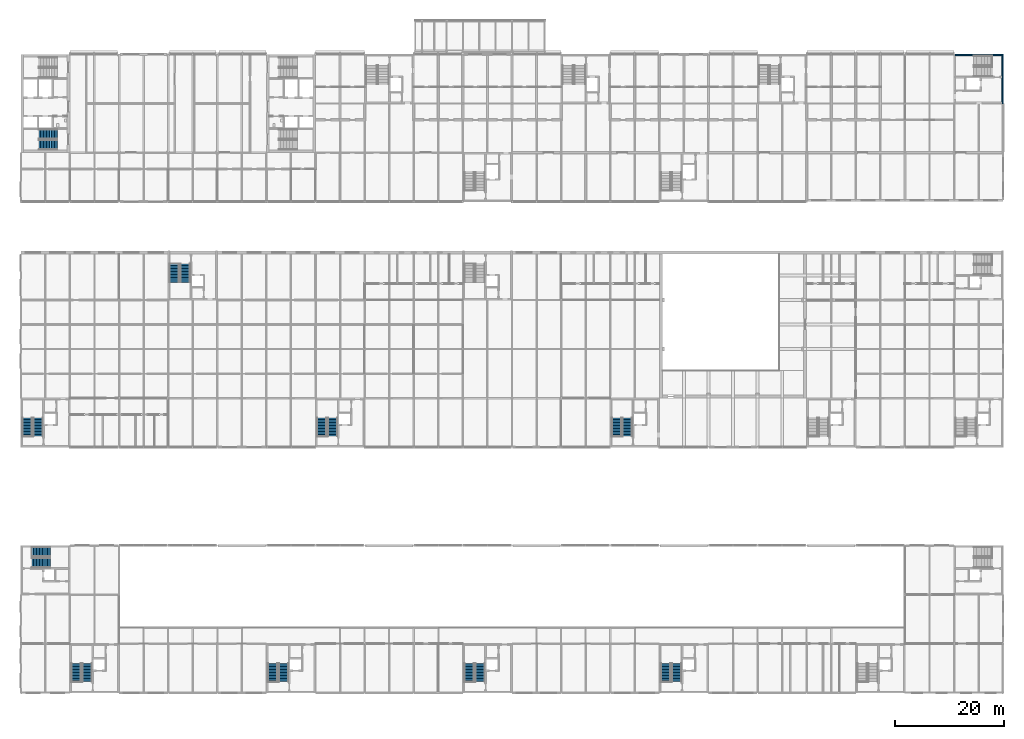
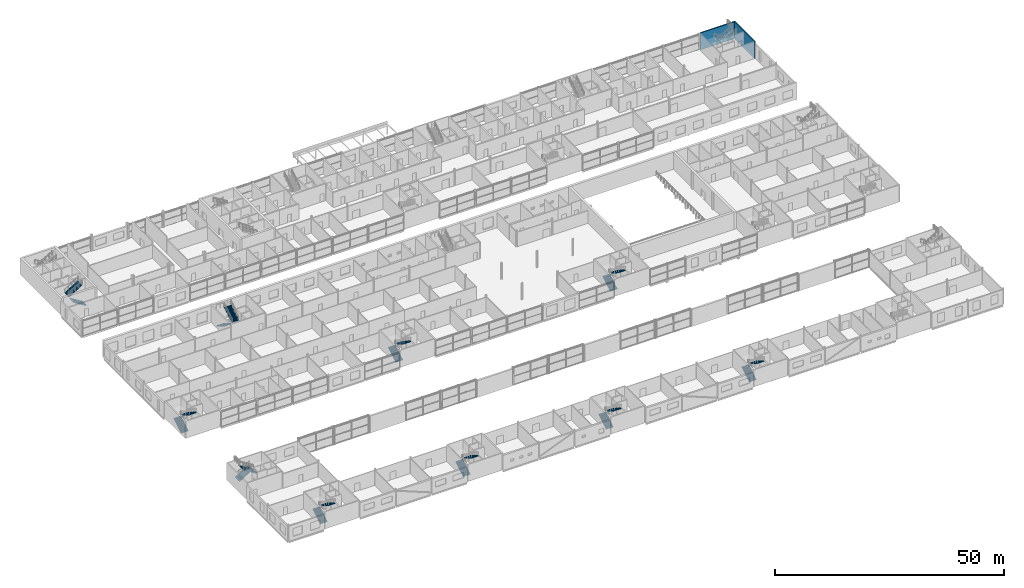
# One storey, part 87 of 97: 20 stair flights, 2 walls, 10 elements without a shape of their own.
"""IFC4 building model written with IfcOpenShell, lengths in metres."""

from ifc_helpers import new_model, si_unit, direction, frame, frame_2d, origin, place, context, subcontext, project, spatial, polyline, rectangle, outline, extrude, material, layer, layer_set, type_object, element, aggregate, save


model = new_model("IFC4")

# Units and contexts
model_context = context("Model", 3, precision=1e-05, world=origin(), true_north=direction((0.0, 1.0)))
body_context = subcontext(model_context, "Body", "Model", "MODEL_VIEW")
ifc_project = project(units=[si_unit("LENGTHUNIT", "METRE"), si_unit("AREAUNIT", "SQUARE_METRE"), si_unit("VOLUMEUNIT", "CUBIC_METRE"), si_unit("PLANEANGLEUNIT", "RADIAN"), si_unit("MASSUNIT", "GRAM", prefix="KILO")], contexts=[model_context])

# Site, building, storey
site_placement = place(None, origin())
site = spatial("IfcSite", under=ifc_project, at=site_placement, CompositionType="ELEMENT")
building_placement = place(site_placement, origin())
building = spatial("IfcBuilding", under=site, at=building_placement, Name="Corbel Yard City Hall", CompositionType="ELEMENT")
storey_placement = place(building_placement, frame((0.0, 0.0, 6.0)))
storey = spatial("IfcBuildingStorey", under=building, at=storey_placement, Name="L01", CompositionType="ELEMENT", Elevation=6.0)

# Walls
ifc_material_1 = material(Name="Concrete N50 (50 MPa)", Category="concrete")
ifc_layer = layer(ifc_material_1, 0.25)
ifc_layer_set = layer_set([ifc_layer], Name="Concrete N50 (50 MPa)")
wall_type = type_object("IfcWallType", Name="Core cell wall 250", PredefinedType="SHEAR", material=ifc_layer_set)
wall_1_placement = place(storey_placement, frame((179.875, 108.0, 0.0), z_axis=(0.0, 0.0, 1.0), x_axis=(0.0, 1.0, 0.0)))
element("IfcWall", 1, at=wall_1_placement, inside=storey, type_object=wall_type, Name="Core PC-N4 east wall", PredefinedType="SHEAR", context=body_context, shape_type="SweptSolid", body=[
    extrude(rectangle(XDim=9.0, YDim=0.25, at=frame_2d((4.5, 0.0))), origin(), (0.0, 0.0, 1.0), 4.5),
])
wall_2_placement = place(storey_placement, frame((171.25, 116.875, 0.0), z_axis=(0.0, 0.0, 1.0), x_axis=(1.0, 0.0, 0.0)))
element("IfcWall", 2, at=wall_2_placement, inside=storey, type_object=wall_type, Name="Core PC-N4 north wall", PredefinedType="SHEAR", context=body_context, shape_type="SweptSolid", body=[
    extrude(rectangle(XDim=8.5, YDim=0.25, at=frame_2d((4.25, 0.0))), origin(), (0.0, 0.0, 1.0), 4.5),
])

# Stair, stair flights
ifc_material_2 = material(Name="Concrete N40 (40 MPa)", Category="concrete")
stair_type = type_object("IfcStairType", Name="ST1", PredefinedType="HALF_TURN_STAIR", material=ifc_material_2)
stair_1_placement = place(storey_placement, origin())
stair_1 = element("IfcStair", 3, at=stair_1_placement, inside=storey, type_object=stair_type, Name="Exit stair L01", PredefinedType="HALF_TURN_STAIR")
stair_flight_type = type_object("IfcStairFlightType", Name="FL1", PredefinedType="STRAIGHT", material=ifc_material_2)
stair_flight_1_placement = place(storey_placement, frame((10.14990234375, 2.050048828125, 0.0), z_axis=(0.0, 0.0, 1.0), x_axis=(0.0, 1.0, 0.0)))
stair_flight_1 = element("IfcStairFlight", 4, at=stair_flight_1_placement, type_object=stair_flight_type, Name="PS1 flight 1", NumberOfRisers=13, NumberOfTreads=12, PredefinedType="STRAIGHT", RiserHeight=0.173077, TreadLength=0.28, context=body_context, shape_type="SweptSolid", body=[
    extrude(outline(polyline([(0.0, 0.0), (0.0, 0.173095703125), (0.280029296875, 0.173095703125), (0.280029296875, 0.34619140625), (0.56005859375, 0.34619140625), (0.56005859375, 0.519287109375), (0.840087890625, 0.519287109375), (0.840087890625, 0.6923828125), (1.1201171875, 0.6923828125), (1.1201171875, 0.865478515625), (1.39990234375, 0.865478515625), (1.39990234375, 1.03857421875), (1.679931640625, 1.03857421875), (1.679931640625, 1.21142578125), (1.9599609375, 1.21142578125), (1.9599609375, 1.384521484375), (2.239990234375, 1.384521484375), (2.239990234375, 1.5576171875), (2.52001953125, 1.5576171875), (2.52001953125, 1.730712890625), (2.800048828125, 1.730712890625), (2.800048828125, 1.90380859375), (3.080078125, 1.90380859375), (3.080078125, 2.076904296875), (3.360107421875, 2.076904296875), (3.360107421875, 2.25), (3.360107421875, 1.900634765625), (0.28515625, 0.0), (0.0, 0.0)])), frame((0.0, 0.89990234375, 0.0), z_axis=(0.0, -1.0, 0.0), x_axis=(1.0, 0.0, 0.0)), (0.0, 0.0, 1.0), 1.800048828125),
])
stair_flight_2_placement = place(storey_placement, frame((12.14990234375, 5.409912109375, 2.25), z_axis=(0.0, 0.0, 1.0), x_axis=(0.0, -1.0, 0.0)))
stair_flight_2 = element("IfcStairFlight", 5, at=stair_flight_2_placement, type_object=stair_flight_type, Name="PS1 flight 2", NumberOfRisers=13, NumberOfTreads=12, PredefinedType="STRAIGHT", RiserHeight=0.173077, TreadLength=0.28, context=body_context, shape_type="SweptSolid", body=[
    extrude(outline(polyline([(0.0, 0.0), (0.0, 0.173095703125), (0.280029296875, 0.173095703125), (0.280029296875, 0.34619140625), (0.56005859375, 0.34619140625), (0.56005859375, 0.519287109375), (0.840087890625, 0.519287109375), (0.840087890625, 0.6923828125), (1.1201171875, 0.6923828125), (1.1201171875, 0.865478515625), (1.39990234375, 0.865478515625), (1.39990234375, 1.03857421875), (1.679931640625, 1.03857421875), (1.679931640625, 1.21142578125), (1.9599609375, 1.21142578125), (1.9599609375, 1.384521484375), (2.239990234375, 1.384521484375), (2.239990234375, 1.5576171875), (2.52001953125, 1.5576171875), (2.52001953125, 1.730712890625), (2.800048828125, 1.730712890625), (2.800048828125, 1.90380859375), (3.080078125, 1.90380859375), (3.080078125, 2.076904296875), (3.360107421875, 2.076904296875), (3.360107421875, 2.25), (3.360107421875, 1.900634765625), (0.28515625, 0.0), (0.0, 0.0)])), frame((0.0, 0.89990234375, 0.0), z_axis=(0.0, -1.0, 0.0), x_axis=(1.0, 0.0, 0.0)), (0.0, 0.0, 1.0), 1.800048828125),
])
aggregate(stair_1, [stair_flight_1, stair_flight_2])

stair_2_placement = place(storey_placement, origin())
stair_2 = element("IfcStair", 6, at=stair_2_placement, inside=storey, type_object=stair_type, Name="Exit stair L01", PredefinedType="HALF_TURN_STAIR")
stair_flight_3_placement = place(storey_placement, frame((46.14990234375, 2.050048828125, 0.0), z_axis=(0.0, 0.0, 1.0), x_axis=(0.0, 1.0, 0.0)))
stair_flight_3 = element("IfcStairFlight", 7, at=stair_flight_3_placement, type_object=stair_flight_type, Name="PS2 flight 1", NumberOfRisers=13, NumberOfTreads=12, PredefinedType="STRAIGHT", RiserHeight=0.173077, TreadLength=0.28, context=body_context, shape_type="SweptSolid", body=[
    extrude(outline(polyline([(0.0, 0.0), (0.0, 0.173095703125), (0.280029296875, 0.173095703125), (0.280029296875, 0.34619140625), (0.56005859375, 0.34619140625), (0.56005859375, 0.519287109375), (0.840087890625, 0.519287109375), (0.840087890625, 0.6923828125), (1.1201171875, 0.6923828125), (1.1201171875, 0.865478515625), (1.39990234375, 0.865478515625), (1.39990234375, 1.03857421875), (1.679931640625, 1.03857421875), (1.679931640625, 1.21142578125), (1.9599609375, 1.21142578125), (1.9599609375, 1.384521484375), (2.239990234375, 1.384521484375), (2.239990234375, 1.5576171875), (2.52001953125, 1.5576171875), (2.52001953125, 1.730712890625), (2.800048828125, 1.730712890625), (2.800048828125, 1.90380859375), (3.080078125, 1.90380859375), (3.080078125, 2.076904296875), (3.360107421875, 2.076904296875), (3.360107421875, 2.25), (3.360107421875, 1.900634765625), (0.28515625, 0.0), (0.0, 0.0)])), frame((0.0, 0.89990234375, 0.0), z_axis=(0.0, -1.0, 0.0), x_axis=(1.0, 0.0, 0.0)), (0.0, 0.0, 1.0), 1.800048828125),
])
stair_flight_4_placement = place(storey_placement, frame((48.14990234375, 5.409912109375, 2.25), z_axis=(0.0, 0.0, 1.0), x_axis=(0.0, -1.0, 0.0)))
stair_flight_4 = element("IfcStairFlight", 8, at=stair_flight_4_placement, type_object=stair_flight_type, Name="PS2 flight 2", NumberOfRisers=13, NumberOfTreads=12, PredefinedType="STRAIGHT", RiserHeight=0.173077, TreadLength=0.28, context=body_context, shape_type="SweptSolid", body=[
    extrude(outline(polyline([(0.0, 0.0), (0.0, 0.173095703125), (0.280029296875, 0.173095703125), (0.280029296875, 0.34619140625), (0.56005859375, 0.34619140625), (0.56005859375, 0.519287109375), (0.840087890625, 0.519287109375), (0.840087890625, 0.6923828125), (1.1201171875, 0.6923828125), (1.1201171875, 0.865478515625), (1.39990234375, 0.865478515625), (1.39990234375, 1.03857421875), (1.679931640625, 1.03857421875), (1.679931640625, 1.21142578125), (1.9599609375, 1.21142578125), (1.9599609375, 1.384521484375), (2.239990234375, 1.384521484375), (2.239990234375, 1.5576171875), (2.52001953125, 1.5576171875), (2.52001953125, 1.730712890625), (2.800048828125, 1.730712890625), (2.800048828125, 1.90380859375), (3.080078125, 1.90380859375), (3.080078125, 2.076904296875), (3.360107421875, 2.076904296875), (3.360107421875, 2.25), (3.360107421875, 1.900634765625), (0.28515625, 0.0), (0.0, 0.0)])), frame((0.0, 0.89990234375, 0.0), z_axis=(0.0, -1.0, 0.0), x_axis=(1.0, 0.0, 0.0)), (0.0, 0.0, 1.0), 1.800048828125),
])
aggregate(stair_2, [stair_flight_3, stair_flight_4])

stair_3_placement = place(storey_placement, origin())
stair_3 = element("IfcStair", 9, at=stair_3_placement, inside=storey, type_object=stair_type, Name="Exit stair L01", PredefinedType="HALF_TURN_STAIR")
stair_flight_5_placement = place(storey_placement, frame((82.14990234375, 2.050048828125, 0.0), z_axis=(0.0, 0.0, 1.0), x_axis=(0.0, 1.0, 0.0)))
stair_flight_5 = element("IfcStairFlight", 10, at=stair_flight_5_placement, type_object=stair_flight_type, Name="PS3 flight 1", NumberOfRisers=13, NumberOfTreads=12, PredefinedType="STRAIGHT", RiserHeight=0.173077, TreadLength=0.28, context=body_context, shape_type="SweptSolid", body=[
    extrude(outline(polyline([(0.0, 0.0), (0.0, 0.173095703125), (0.280029296875, 0.173095703125), (0.280029296875, 0.34619140625), (0.56005859375, 0.34619140625), (0.56005859375, 0.519287109375), (0.840087890625, 0.519287109375), (0.840087890625, 0.6923828125), (1.1201171875, 0.6923828125), (1.1201171875, 0.865478515625), (1.39990234375, 0.865478515625), (1.39990234375, 1.03857421875), (1.679931640625, 1.03857421875), (1.679931640625, 1.21142578125), (1.9599609375, 1.21142578125), (1.9599609375, 1.384521484375), (2.239990234375, 1.384521484375), (2.239990234375, 1.5576171875), (2.52001953125, 1.5576171875), (2.52001953125, 1.730712890625), (2.800048828125, 1.730712890625), (2.800048828125, 1.90380859375), (3.080078125, 1.90380859375), (3.080078125, 2.076904296875), (3.360107421875, 2.076904296875), (3.360107421875, 2.25), (3.360107421875, 1.900634765625), (0.28515625, 0.0), (0.0, 0.0)])), frame((0.0, 0.89990234375, 0.0), z_axis=(0.0, -1.0, 0.0), x_axis=(1.0, 0.0, 0.0)), (0.0, 0.0, 1.0), 1.800048828125),
])
stair_flight_6_placement = place(storey_placement, frame((84.14990234375, 5.409912109375, 2.25), z_axis=(0.0, 0.0, 1.0), x_axis=(0.0, -1.0, 0.0)))
stair_flight_6 = element("IfcStairFlight", 11, at=stair_flight_6_placement, type_object=stair_flight_type, Name="PS3 flight 2", NumberOfRisers=13, NumberOfTreads=12, PredefinedType="STRAIGHT", RiserHeight=0.173077, TreadLength=0.28, context=body_context, shape_type="SweptSolid", body=[
    extrude(outline(polyline([(0.0, 0.0), (0.0, 0.173095703125), (0.280029296875, 0.173095703125), (0.280029296875, 0.34619140625), (0.56005859375, 0.34619140625), (0.56005859375, 0.519287109375), (0.840087890625, 0.519287109375), (0.840087890625, 0.6923828125), (1.1201171875, 0.6923828125), (1.1201171875, 0.865478515625), (1.39990234375, 0.865478515625), (1.39990234375, 1.03857421875), (1.679931640625, 1.03857421875), (1.679931640625, 1.21142578125), (1.9599609375, 1.21142578125), (1.9599609375, 1.384521484375), (2.239990234375, 1.384521484375), (2.239990234375, 1.5576171875), (2.52001953125, 1.5576171875), (2.52001953125, 1.730712890625), (2.800048828125, 1.730712890625), (2.800048828125, 1.90380859375), (3.080078125, 1.90380859375), (3.080078125, 2.076904296875), (3.360107421875, 2.076904296875), (3.360107421875, 2.25), (3.360107421875, 1.900634765625), (0.28515625, 0.0), (0.0, 0.0)])), frame((0.0, 0.89990234375, 0.0), z_axis=(0.0, -1.0, 0.0), x_axis=(1.0, 0.0, 0.0)), (0.0, 0.0, 1.0), 1.800048828125),
])
aggregate(stair_3, [stair_flight_5, stair_flight_6])

stair_4_placement = place(storey_placement, origin())
stair_4 = element("IfcStair", 12, at=stair_4_placement, inside=storey, type_object=stair_type, Name="Exit stair L01", PredefinedType="HALF_TURN_STAIR")
stair_flight_7_placement = place(storey_placement, frame((118.14990234375, 2.050048828125, 0.0), z_axis=(0.0, 0.0, 1.0), x_axis=(0.0, 1.0, 0.0)))
stair_flight_7 = element("IfcStairFlight", 13, at=stair_flight_7_placement, type_object=stair_flight_type, Name="PS4 flight 1", NumberOfRisers=13, NumberOfTreads=12, PredefinedType="STRAIGHT", RiserHeight=0.173077, TreadLength=0.28, context=body_context, shape_type="SweptSolid", body=[
    extrude(outline(polyline([(0.0, 0.0), (0.0, 0.173095703125), (0.280029296875, 0.173095703125), (0.280029296875, 0.34619140625), (0.56005859375, 0.34619140625), (0.56005859375, 0.519287109375), (0.840087890625, 0.519287109375), (0.840087890625, 0.6923828125), (1.1201171875, 0.6923828125), (1.1201171875, 0.865478515625), (1.39990234375, 0.865478515625), (1.39990234375, 1.03857421875), (1.679931640625, 1.03857421875), (1.679931640625, 1.21142578125), (1.9599609375, 1.21142578125), (1.9599609375, 1.384521484375), (2.239990234375, 1.384521484375), (2.239990234375, 1.5576171875), (2.52001953125, 1.5576171875), (2.52001953125, 1.730712890625), (2.800048828125, 1.730712890625), (2.800048828125, 1.90380859375), (3.080078125, 1.90380859375), (3.080078125, 2.076904296875), (3.360107421875, 2.076904296875), (3.360107421875, 2.25), (3.360107421875, 1.900634765625), (0.28515625, 0.0), (0.0, 0.0)])), frame((0.0, 0.89990234375, 0.0), z_axis=(0.0, -1.0, 0.0), x_axis=(1.0, 0.0, 0.0)), (0.0, 0.0, 1.0), 1.800048828125),
])
stair_flight_8_placement = place(storey_placement, frame((120.14990234375, 5.409912109375, 2.25), z_axis=(0.0, 0.0, 1.0), x_axis=(0.0, -1.0, 0.0)))
stair_flight_8 = element("IfcStairFlight", 14, at=stair_flight_8_placement, type_object=stair_flight_type, Name="PS4 flight 2", NumberOfRisers=13, NumberOfTreads=12, PredefinedType="STRAIGHT", RiserHeight=0.173077, TreadLength=0.28, context=body_context, shape_type="SweptSolid", body=[
    extrude(outline(polyline([(0.0, 0.0), (0.0, 0.173095703125), (0.280029296875, 0.173095703125), (0.280029296875, 0.34619140625), (0.56005859375, 0.34619140625), (0.56005859375, 0.519287109375), (0.840087890625, 0.519287109375), (0.840087890625, 0.6923828125), (1.1201171875, 0.6923828125), (1.1201171875, 0.865478515625), (1.39990234375, 0.865478515625), (1.39990234375, 1.03857421875), (1.679931640625, 1.03857421875), (1.679931640625, 1.21142578125), (1.9599609375, 1.21142578125), (1.9599609375, 1.384521484375), (2.239990234375, 1.384521484375), (2.239990234375, 1.5576171875), (2.52001953125, 1.5576171875), (2.52001953125, 1.730712890625), (2.800048828125, 1.730712890625), (2.800048828125, 1.90380859375), (3.080078125, 1.90380859375), (3.080078125, 2.076904296875), (3.360107421875, 2.076904296875), (3.360107421875, 2.25), (3.360107421875, 1.900634765625), (0.28515625, 0.0), (0.0, 0.0)])), frame((0.0, 0.89990234375, 0.0), z_axis=(0.0, -1.0, 0.0), x_axis=(1.0, 0.0, 0.0)), (0.0, 0.0, 1.0), 1.800048828125),
])
aggregate(stair_4, [stair_flight_7, stair_flight_8])

stair_5_placement = place(storey_placement, origin())
stair_5 = element("IfcStair", 15, at=stair_5_placement, inside=storey, type_object=stair_type, Name="Exit stair L01", PredefinedType="HALF_TURN_STAIR")
stair_flight_9_placement = place(storey_placement, frame((2.050048828125, 25.85009765625, 0.0), z_axis=(0.0, 0.0, 1.0), x_axis=(1.0, 0.0, 0.0)))
stair_flight_9 = element("IfcStairFlight", 16, at=stair_flight_9_placement, type_object=stair_flight_type, Name="PS6 flight 1", NumberOfRisers=13, NumberOfTreads=12, PredefinedType="STRAIGHT", RiserHeight=0.173077, TreadLength=0.28, context=body_context, shape_type="SweptSolid", body=[
    extrude(outline(polyline([(0.0, 0.0), (0.0, 0.173095703125), (0.280029296875, 0.173095703125), (0.280029296875, 0.34619140625), (0.56005859375, 0.34619140625), (0.56005859375, 0.519287109375), (0.840087890625, 0.519287109375), (0.840087890625, 0.6923828125), (1.1201171875, 0.6923828125), (1.1201171875, 0.865478515625), (1.39990234375, 0.865478515625), (1.39990234375, 1.03857421875), (1.679931640625, 1.03857421875), (1.679931640625, 1.21142578125), (1.9599609375, 1.21142578125), (1.9599609375, 1.384521484375), (2.239990234375, 1.384521484375), (2.239990234375, 1.5576171875), (2.52001953125, 1.5576171875), (2.52001953125, 1.730712890625), (2.800048828125, 1.730712890625), (2.800048828125, 1.90380859375), (3.080078125, 1.90380859375), (3.080078125, 2.076904296875), (3.360107421875, 2.076904296875), (3.360107421875, 2.25), (3.360107421875, 1.900634765625), (0.28515625, 0.0), (0.0, 0.0)])), frame((0.0, 0.89990234375, 0.0), z_axis=(0.0, -1.0, 0.0), x_axis=(1.0, 0.0, 0.0)), (0.0, 0.0, 1.0), 1.800048828125),
])
stair_flight_10_placement = place(storey_placement, frame((5.409912109375, 23.85009765625, 2.25), z_axis=(0.0, 0.0, 1.0), x_axis=(-1.0, 0.0, 0.0)))
stair_flight_10 = element("IfcStairFlight", 17, at=stair_flight_10_placement, type_object=stair_flight_type, Name="PS6 flight 2", NumberOfRisers=13, NumberOfTreads=12, PredefinedType="STRAIGHT", RiserHeight=0.173077, TreadLength=0.28, context=body_context, shape_type="SweptSolid", body=[
    extrude(outline(polyline([(0.0, 0.0), (0.0, 0.173095703125), (0.280029296875, 0.173095703125), (0.280029296875, 0.34619140625), (0.56005859375, 0.34619140625), (0.56005859375, 0.519287109375), (0.840087890625, 0.519287109375), (0.840087890625, 0.6923828125), (1.1201171875, 0.6923828125), (1.1201171875, 0.865478515625), (1.39990234375, 0.865478515625), (1.39990234375, 1.03857421875), (1.679931640625, 1.03857421875), (1.679931640625, 1.21142578125), (1.9599609375, 1.21142578125), (1.9599609375, 1.384521484375), (2.239990234375, 1.384521484375), (2.239990234375, 1.5576171875), (2.52001953125, 1.5576171875), (2.52001953125, 1.730712890625), (2.800048828125, 1.730712890625), (2.800048828125, 1.90380859375), (3.080078125, 1.90380859375), (3.080078125, 2.076904296875), (3.360107421875, 2.076904296875), (3.360107421875, 2.25), (3.360107421875, 1.900634765625), (0.28515625, 0.0), (0.0, 0.0)])), frame((0.0, 0.89990234375, 0.0), z_axis=(0.0, -1.0, 0.0), x_axis=(1.0, 0.0, 0.0)), (0.0, 0.0, 1.0), 1.800048828125),
])
aggregate(stair_5, [stair_flight_9, stair_flight_10])

stair_6_placement = place(storey_placement, origin())
stair_6 = element("IfcStair", 18, at=stair_6_placement, inside=storey, type_object=stair_type, Name="Exit stair L01", PredefinedType="HALF_TURN_STAIR")
stair_flight_11_placement = place(storey_placement, frame((1.14990234375, 47.050048828125, 0.0), z_axis=(0.0, 0.0, 1.0), x_axis=(0.0, 1.0, 0.0)))
stair_flight_11 = element("IfcStairFlight", 19, at=stair_flight_11_placement, type_object=stair_flight_type, Name="PS8 flight 1", NumberOfRisers=13, NumberOfTreads=12, PredefinedType="STRAIGHT", RiserHeight=0.173077, TreadLength=0.28, context=body_context, shape_type="SweptSolid", body=[
    extrude(outline(polyline([(0.0, 0.0), (0.0, 0.173095703125), (0.280029296875, 0.173095703125), (0.280029296875, 0.34619140625), (0.56005859375, 0.34619140625), (0.56005859375, 0.519287109375), (0.840087890625, 0.519287109375), (0.840087890625, 0.6923828125), (1.1201171875, 0.6923828125), (1.1201171875, 0.865478515625), (1.39990234375, 0.865478515625), (1.39990234375, 1.03857421875), (1.679931640625, 1.03857421875), (1.679931640625, 1.21142578125), (1.9599609375, 1.21142578125), (1.9599609375, 1.384521484375), (2.239990234375, 1.384521484375), (2.239990234375, 1.5576171875), (2.52001953125, 1.5576171875), (2.52001953125, 1.730712890625), (2.800048828125, 1.730712890625), (2.800048828125, 1.90380859375), (3.080078125, 1.90380859375), (3.080078125, 2.076904296875), (3.360107421875, 2.076904296875), (3.360107421875, 2.25), (3.360107421875, 1.900634765625), (0.28515625, 0.0), (0.0, 0.0)])), frame((0.0, 0.89990234375, 0.0), z_axis=(0.0, -1.0, 0.0), x_axis=(1.0, 0.0, 0.0)), (0.0, 0.0, 1.0), 1.800048828125),
])
stair_flight_12_placement = place(storey_placement, frame((3.14990234375, 50.409912109375, 2.25), z_axis=(0.0, 0.0, 1.0), x_axis=(0.0, -1.0, 0.0)))
stair_flight_12 = element("IfcStairFlight", 20, at=stair_flight_12_placement, type_object=stair_flight_type, Name="PS8 flight 2", NumberOfRisers=13, NumberOfTreads=12, PredefinedType="STRAIGHT", RiserHeight=0.173077, TreadLength=0.28, context=body_context, shape_type="SweptSolid", body=[
    extrude(outline(polyline([(0.0, 0.0), (0.0, 0.173095703125), (0.280029296875, 0.173095703125), (0.280029296875, 0.34619140625), (0.56005859375, 0.34619140625), (0.56005859375, 0.519287109375), (0.840087890625, 0.519287109375), (0.840087890625, 0.6923828125), (1.1201171875, 0.6923828125), (1.1201171875, 0.865478515625), (1.39990234375, 0.865478515625), (1.39990234375, 1.03857421875), (1.679931640625, 1.03857421875), (1.679931640625, 1.21142578125), (1.9599609375, 1.21142578125), (1.9599609375, 1.384521484375), (2.239990234375, 1.384521484375), (2.239990234375, 1.5576171875), (2.52001953125, 1.5576171875), (2.52001953125, 1.730712890625), (2.800048828125, 1.730712890625), (2.800048828125, 1.90380859375), (3.080078125, 1.90380859375), (3.080078125, 2.076904296875), (3.360107421875, 2.076904296875), (3.360107421875, 2.25), (3.360107421875, 1.900634765625), (0.28515625, 0.0), (0.0, 0.0)])), frame((0.0, 0.89990234375, 0.0), z_axis=(0.0, -1.0, 0.0), x_axis=(1.0, 0.0, 0.0)), (0.0, 0.0, 1.0), 1.800048828125),
])
aggregate(stair_6, [stair_flight_11, stair_flight_12])

stair_7_placement = place(storey_placement, origin())
stair_7 = element("IfcStair", 21, at=stair_7_placement, inside=storey, type_object=stair_type, Name="Exit stair L01", PredefinedType="HALF_TURN_STAIR")
stair_flight_13_placement = place(storey_placement, frame((55.14990234375, 47.050048828125, 0.0), z_axis=(0.0, 0.0, 1.0), x_axis=(0.0, 1.0, 0.0)))
stair_flight_13 = element("IfcStairFlight", 22, at=stair_flight_13_placement, type_object=stair_flight_type, Name="PS9 flight 1", NumberOfRisers=13, NumberOfTreads=12, PredefinedType="STRAIGHT", RiserHeight=0.173077, TreadLength=0.28, context=body_context, shape_type="SweptSolid", body=[
    extrude(outline(polyline([(0.0, 0.0), (0.0, 0.173095703125), (0.280029296875, 0.173095703125), (0.280029296875, 0.34619140625), (0.56005859375, 0.34619140625), (0.56005859375, 0.519287109375), (0.840087890625, 0.519287109375), (0.840087890625, 0.6923828125), (1.1201171875, 0.6923828125), (1.1201171875, 0.865478515625), (1.39990234375, 0.865478515625), (1.39990234375, 1.03857421875), (1.679931640625, 1.03857421875), (1.679931640625, 1.21142578125), (1.9599609375, 1.21142578125), (1.9599609375, 1.384521484375), (2.239990234375, 1.384521484375), (2.239990234375, 1.5576171875), (2.52001953125, 1.5576171875), (2.52001953125, 1.730712890625), (2.800048828125, 1.730712890625), (2.800048828125, 1.90380859375), (3.080078125, 1.90380859375), (3.080078125, 2.076904296875), (3.360107421875, 2.076904296875), (3.360107421875, 2.25), (3.360107421875, 1.900634765625), (0.28515625, 0.0), (0.0, 0.0)])), frame((0.0, 0.89990234375, 0.0), z_axis=(0.0, -1.0, 0.0), x_axis=(1.0, 0.0, 0.0)), (0.0, 0.0, 1.0), 1.800048828125),
])
stair_flight_14_placement = place(storey_placement, frame((57.14990234375, 50.409912109375, 2.25), z_axis=(0.0, 0.0, 1.0), x_axis=(0.0, -1.0, 0.0)))
stair_flight_14 = element("IfcStairFlight", 23, at=stair_flight_14_placement, type_object=stair_flight_type, Name="PS9 flight 2", NumberOfRisers=13, NumberOfTreads=12, PredefinedType="STRAIGHT", RiserHeight=0.173077, TreadLength=0.28, context=body_context, shape_type="SweptSolid", body=[
    extrude(outline(polyline([(0.0, 0.0), (0.0, 0.173095703125), (0.280029296875, 0.173095703125), (0.280029296875, 0.34619140625), (0.56005859375, 0.34619140625), (0.56005859375, 0.519287109375), (0.840087890625, 0.519287109375), (0.840087890625, 0.6923828125), (1.1201171875, 0.6923828125), (1.1201171875, 0.865478515625), (1.39990234375, 0.865478515625), (1.39990234375, 1.03857421875), (1.679931640625, 1.03857421875), (1.679931640625, 1.21142578125), (1.9599609375, 1.21142578125), (1.9599609375, 1.384521484375), (2.239990234375, 1.384521484375), (2.239990234375, 1.5576171875), (2.52001953125, 1.5576171875), (2.52001953125, 1.730712890625), (2.800048828125, 1.730712890625), (2.800048828125, 1.90380859375), (3.080078125, 1.90380859375), (3.080078125, 2.076904296875), (3.360107421875, 2.076904296875), (3.360107421875, 2.25), (3.360107421875, 1.900634765625), (0.28515625, 0.0), (0.0, 0.0)])), frame((0.0, 0.89990234375, 0.0), z_axis=(0.0, -1.0, 0.0), x_axis=(1.0, 0.0, 0.0)), (0.0, 0.0, 1.0), 1.800048828125),
])
aggregate(stair_7, [stair_flight_13, stair_flight_14])

stair_8_placement = place(storey_placement, origin())
stair_8 = element("IfcStair", 24, at=stair_8_placement, inside=storey, type_object=stair_type, Name="Exit stair L01", PredefinedType="HALF_TURN_STAIR")
stair_flight_15_placement = place(storey_placement, frame((109.14990234375, 47.050048828125, 0.0), z_axis=(0.0, 0.0, 1.0), x_axis=(0.0, 1.0, 0.0)))
stair_flight_15 = element("IfcStairFlight", 25, at=stair_flight_15_placement, type_object=stair_flight_type, Name="PS10 flight 1", NumberOfRisers=13, NumberOfTreads=12, PredefinedType="STRAIGHT", RiserHeight=0.173077, TreadLength=0.28, context=body_context, shape_type="SweptSolid", body=[
    extrude(outline(polyline([(0.0, 0.0), (0.0, 0.173095703125), (0.280029296875, 0.173095703125), (0.280029296875, 0.34619140625), (0.56005859375, 0.34619140625), (0.56005859375, 0.519287109375), (0.840087890625, 0.519287109375), (0.840087890625, 0.6923828125), (1.1201171875, 0.6923828125), (1.1201171875, 0.865478515625), (1.39990234375, 0.865478515625), (1.39990234375, 1.03857421875), (1.679931640625, 1.03857421875), (1.679931640625, 1.21142578125), (1.9599609375, 1.21142578125), (1.9599609375, 1.384521484375), (2.239990234375, 1.384521484375), (2.239990234375, 1.5576171875), (2.52001953125, 1.5576171875), (2.52001953125, 1.730712890625), (2.800048828125, 1.730712890625), (2.800048828125, 1.90380859375), (3.080078125, 1.90380859375), (3.080078125, 2.076904296875), (3.360107421875, 2.076904296875), (3.360107421875, 2.25), (3.360107421875, 1.900634765625), (0.28515625, 0.0), (0.0, 0.0)])), frame((0.0, 0.89990234375, 0.0), z_axis=(0.0, -1.0, 0.0), x_axis=(1.0, 0.0, 0.0)), (0.0, 0.0, 1.0), 1.800048828125),
])
stair_flight_16_placement = place(storey_placement, frame((111.14990234375, 50.409912109375, 2.25), z_axis=(0.0, 0.0, 1.0), x_axis=(0.0, -1.0, 0.0)))
stair_flight_16 = element("IfcStairFlight", 26, at=stair_flight_16_placement, type_object=stair_flight_type, Name="PS10 flight 2", NumberOfRisers=13, NumberOfTreads=12, PredefinedType="STRAIGHT", RiserHeight=0.173077, TreadLength=0.28, context=body_context, shape_type="SweptSolid", body=[
    extrude(outline(polyline([(0.0, 0.0), (0.0, 0.173095703125), (0.280029296875, 0.173095703125), (0.280029296875, 0.34619140625), (0.56005859375, 0.34619140625), (0.56005859375, 0.519287109375), (0.840087890625, 0.519287109375), (0.840087890625, 0.6923828125), (1.1201171875, 0.6923828125), (1.1201171875, 0.865478515625), (1.39990234375, 0.865478515625), (1.39990234375, 1.03857421875), (1.679931640625, 1.03857421875), (1.679931640625, 1.21142578125), (1.9599609375, 1.21142578125), (1.9599609375, 1.384521484375), (2.239990234375, 1.384521484375), (2.239990234375, 1.5576171875), (2.52001953125, 1.5576171875), (2.52001953125, 1.730712890625), (2.800048828125, 1.730712890625), (2.800048828125, 1.90380859375), (3.080078125, 1.90380859375), (3.080078125, 2.076904296875), (3.360107421875, 2.076904296875), (3.360107421875, 2.25), (3.360107421875, 1.900634765625), (0.28515625, 0.0), (0.0, 0.0)])), frame((0.0, 0.89990234375, 0.0), z_axis=(0.0, -1.0, 0.0), x_axis=(1.0, 0.0, 0.0)), (0.0, 0.0, 1.0), 1.800048828125),
])
aggregate(stair_8, [stair_flight_15, stair_flight_16])

stair_9_placement = place(storey_placement, origin())
stair_9 = element("IfcStair", 27, at=stair_9_placement, inside=storey, type_object=stair_type, Name="Exit stair L01", PredefinedType="HALF_TURN_STAIR")
stair_flight_17_placement = place(storey_placement, frame((28.14990234375, 78.60009765625, 0.0), z_axis=(0.0, 0.0, 1.0), x_axis=(0.0, -1.0, 0.0)))
stair_flight_17 = element("IfcStairFlight", 28, at=stair_flight_17_placement, type_object=stair_flight_type, Name="PS13 flight 1", NumberOfRisers=13, NumberOfTreads=12, PredefinedType="STRAIGHT", RiserHeight=0.173077, TreadLength=0.28, context=body_context, shape_type="SweptSolid", body=[
    extrude(outline(polyline([(0.0, 0.0), (0.0, 0.173095703125), (0.280029296875, 0.173095703125), (0.280029296875, 0.34619140625), (0.56005859375, 0.34619140625), (0.56005859375, 0.519287109375), (0.840087890625, 0.519287109375), (0.840087890625, 0.6923828125), (1.1201171875, 0.6923828125), (1.1201171875, 0.865478515625), (1.39990234375, 0.865478515625), (1.39990234375, 1.03857421875), (1.679931640625, 1.03857421875), (1.679931640625, 1.21142578125), (1.9599609375, 1.21142578125), (1.9599609375, 1.384521484375), (2.239990234375, 1.384521484375), (2.239990234375, 1.5576171875), (2.52001953125, 1.5576171875), (2.52001953125, 1.730712890625), (2.800048828125, 1.730712890625), (2.800048828125, 1.90380859375), (3.080078125, 1.90380859375), (3.080078125, 2.076904296875), (3.360107421875, 2.076904296875), (3.360107421875, 2.25), (3.360107421875, 1.900634765625), (0.28515625, 0.0), (0.0, 0.0)])), frame((0.0, 0.89990234375, 0.0), z_axis=(0.0, -1.0, 0.0), x_axis=(1.0, 0.0, 0.0)), (0.0, 0.0, 1.0), 1.800048828125),
])
stair_flight_18_placement = place(storey_placement, frame((30.14990234375, 75.239990234375, 2.25), z_axis=(0.0, 0.0, 1.0), x_axis=(0.0, 1.0, 0.0)))
stair_flight_18 = element("IfcStairFlight", 29, at=stair_flight_18_placement, type_object=stair_flight_type, Name="PS13 flight 2", NumberOfRisers=13, NumberOfTreads=12, PredefinedType="STRAIGHT", RiserHeight=0.173077, TreadLength=0.28, context=body_context, shape_type="SweptSolid", body=[
    extrude(outline(polyline([(0.0, 0.0), (0.0, 0.173095703125), (0.280029296875, 0.173095703125), (0.280029296875, 0.34619140625), (0.56005859375, 0.34619140625), (0.56005859375, 0.519287109375), (0.840087890625, 0.519287109375), (0.840087890625, 0.6923828125), (1.1201171875, 0.6923828125), (1.1201171875, 0.865478515625), (1.39990234375, 0.865478515625), (1.39990234375, 1.03857421875), (1.679931640625, 1.03857421875), (1.679931640625, 1.21142578125), (1.9599609375, 1.21142578125), (1.9599609375, 1.384521484375), (2.239990234375, 1.384521484375), (2.239990234375, 1.5576171875), (2.52001953125, 1.5576171875), (2.52001953125, 1.730712890625), (2.800048828125, 1.730712890625), (2.800048828125, 1.90380859375), (3.080078125, 1.90380859375), (3.080078125, 2.076904296875), (3.360107421875, 2.076904296875), (3.360107421875, 2.25), (3.360107421875, 1.900634765625), (0.28515625, 0.0), (0.0, 0.0)])), frame((0.0, 0.89990234375, 0.0), z_axis=(0.0, -1.0, 0.0), x_axis=(1.0, 0.0, 0.0)), (0.0, 0.0, 1.0), 1.800048828125),
])
aggregate(stair_9, [stair_flight_17, stair_flight_18])

stair_10_placement = place(storey_placement, origin())
stair_10 = element("IfcStair", 30, at=stair_10_placement, inside=storey, type_object=stair_type, Name="Exit stair ST-W1 L01", PredefinedType="HALF_TURN_STAIR")
stair_flight_19_placement = place(storey_placement, frame((6.699951171875, 100.39990234375, 0.0), z_axis=(0.0, 0.0, 1.0), x_axis=(-1.0, 0.0, 0.0)))
stair_flight_19 = element("IfcStairFlight", 31, at=stair_flight_19_placement, type_object=stair_flight_type, Name="ST-W1 flight 1", NumberOfRisers=13, NumberOfTreads=12, PredefinedType="STRAIGHT", RiserHeight=0.173077, TreadLength=0.28, context=body_context, shape_type="SweptSolid", body=[
    extrude(outline(polyline([(0.0, 0.0), (0.0, 0.173095703125), (0.280029296875, 0.173095703125), (0.280029296875, 0.34619140625), (0.56005859375, 0.34619140625), (0.56005859375, 0.519287109375), (0.840087890625, 0.519287109375), (0.840087890625, 0.6923828125), (1.1201171875, 0.6923828125), (1.1201171875, 0.865478515625), (1.39990234375, 0.865478515625), (1.39990234375, 1.03857421875), (1.679931640625, 1.03857421875), (1.679931640625, 1.21142578125), (1.9599609375, 1.21142578125), (1.9599609375, 1.384521484375), (2.239990234375, 1.384521484375), (2.239990234375, 1.5576171875), (2.52001953125, 1.5576171875), (2.52001953125, 1.730712890625), (2.800048828125, 1.730712890625), (2.800048828125, 1.90380859375), (3.080078125, 1.90380859375), (3.080078125, 2.076904296875), (3.360107421875, 2.076904296875), (3.360107421875, 2.25), (3.360107421875, 1.900634765625), (0.28515625, 0.0), (0.0, 0.0)])), frame((0.0, 0.89990234375, 0.0), z_axis=(0.0, -1.0, 0.0), x_axis=(1.0, 0.0, 0.0)), (0.0, 0.0, 1.0), 1.800048828125),
])
stair_flight_20_placement = place(storey_placement, frame((3.340087890625, 102.39990234375, 2.25), z_axis=(0.0, 0.0, 1.0), x_axis=(1.0, 0.0, 0.0)))
stair_flight_20 = element("IfcStairFlight", 32, at=stair_flight_20_placement, type_object=stair_flight_type, Name="ST-W1 flight 2", NumberOfRisers=13, NumberOfTreads=12, PredefinedType="STRAIGHT", RiserHeight=0.173077, TreadLength=0.28, context=body_context, shape_type="SweptSolid", body=[
    extrude(outline(polyline([(0.0, 0.0), (0.0, 0.173095703125), (0.280029296875, 0.173095703125), (0.280029296875, 0.34619140625), (0.56005859375, 0.34619140625), (0.56005859375, 0.519287109375), (0.840087890625, 0.519287109375), (0.840087890625, 0.6923828125), (1.1201171875, 0.6923828125), (1.1201171875, 0.865478515625), (1.39990234375, 0.865478515625), (1.39990234375, 1.03857421875), (1.679931640625, 1.03857421875), (1.679931640625, 1.21142578125), (1.9599609375, 1.21142578125), (1.9599609375, 1.384521484375), (2.239990234375, 1.384521484375), (2.239990234375, 1.5576171875), (2.52001953125, 1.5576171875), (2.52001953125, 1.730712890625), (2.800048828125, 1.730712890625), (2.800048828125, 1.90380859375), (3.080078125, 1.90380859375), (3.080078125, 2.076904296875), (3.360107421875, 2.076904296875), (3.360107421875, 2.25), (3.360107421875, 1.900634765625), (0.28515625, 0.0), (0.0, 0.0)])), frame((0.0, 0.89990234375, 0.0), z_axis=(0.0, -1.0, 0.0), x_axis=(1.0, 0.0, 0.0)), (0.0, 0.0, 1.0), 1.800048828125),
])
aggregate(stair_10, [stair_flight_19, stair_flight_20])

save(model, "model.ifc")
